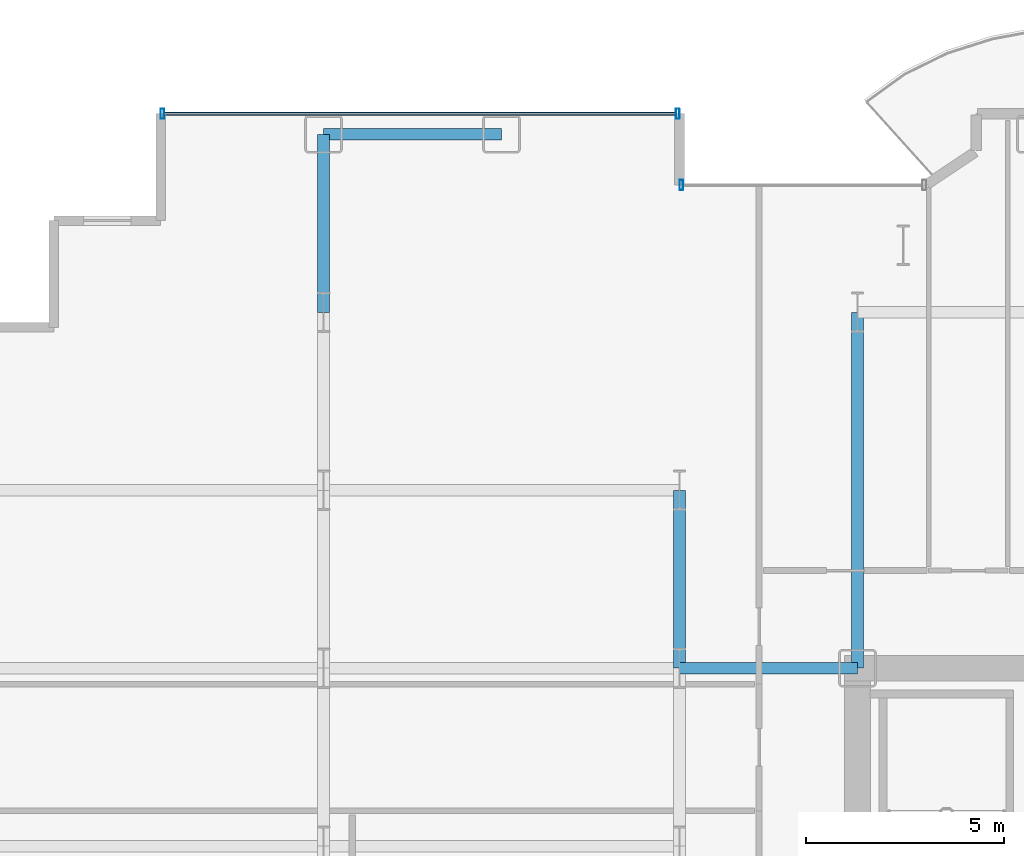
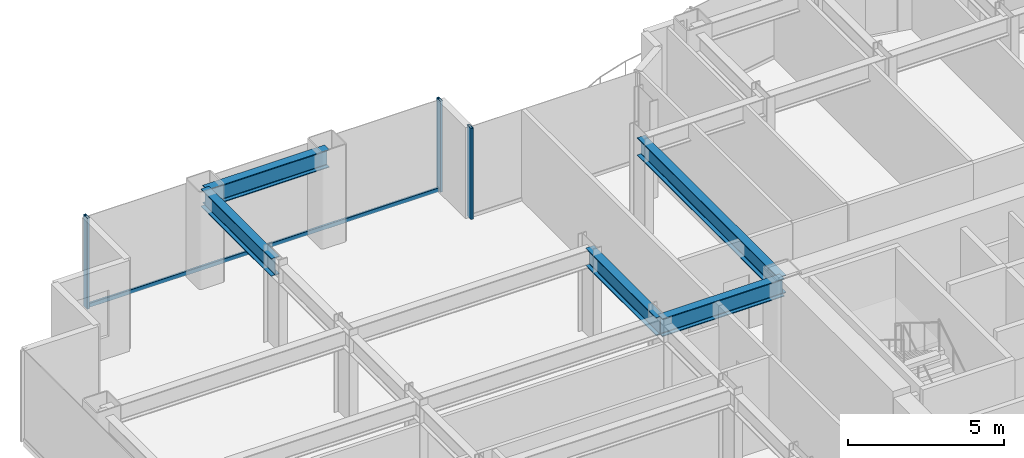
# One storey, part 12 of 29: 5 beams, 4 members, 2 elements without a shape of their own.
"""IFC4 building model written with IfcOpenShell, lengths in metres."""

from ifc_helpers import new_model, si_unit, direction, frame, origin, origin_2d, place, context, subcontext, project, spatial, hollow_rectangle, i_section, extrude, source, transform, mapped, material, layer, layer_set, material_profile, profile_set, type_object, element, aggregate, save


model = new_model("IFC4")

# Units and contexts
model_context = context("Model", 3, precision=1e-05, world=origin(), true_north=direction((0.0, 1.0)))
body_context = subcontext(model_context, "Body", "Model", "MODEL_VIEW")
ifc_project = project(units=[si_unit("LENGTHUNIT", "METRE"), si_unit("AREAUNIT", "SQUARE_METRE"), si_unit("VOLUMEUNIT", "CUBIC_METRE"), si_unit("PLANEANGLEUNIT", "RADIAN"), si_unit("MASSUNIT", "GRAM", prefix="KILO")], contexts=[model_context])

# Site, building, storey
site_placement = place(None, origin())
site = spatial("IfcSite", under=ifc_project, at=site_placement, CompositionType="ELEMENT")
building_placement = place(site_placement, origin())
building = spatial("IfcBuilding", under=site, at=building_placement, Name="Nefas-Gora Pilgrimage Tower", CompositionType="ELEMENT")
storey_placement = place(building_placement, frame((0.0, 0.0, 67.199951171875)))
storey = spatial("IfcBuildingStorey", under=building, at=storey_placement, Name="L15", CompositionType="ELEMENT", Elevation=67.199951171875)

# Beams
ifc_material_1 = material(Name="Steel S355", Category="steel")
ifc_material_profile_1 = material_profile(ifc_material_1, i_section(OverallWidth=0.300048828125, OverallDepth=0.699951171875, WebThickness=0.01708984375, FlangeThickness=0.031982421875, FilletRadius=0.027099609375, at=origin_2d()), Name="HEB 700")
ifc_profile_set_1 = profile_set([ifc_material_profile_1], Name="Steel S355")
beam_type_1 = type_object("IfcBeamType", Name="BM-SPN-HEB600", PredefinedType="SPANDREL", material=ifc_profile_set_1)
shared_shape_1 = source(origin(), body_context, "Body", "SweptSolid", [
    extrude(i_section(OverallWidth=0.300048828125, OverallDepth=0.699951171875, WebThickness=0.01708984375, FlangeThickness=0.031982421875, FilletRadius=0.027099609375, at=origin_2d()), origin(), (0.0, 0.0, 1.0), 4.5),
])
beam_1_placement = place(storey_placement, frame((-24.75, 22.5, 3.199951171875), z_axis=(1.0, 0.0, 0.0), x_axis=(0.0, 1.0, 0.0)))
element("IfcBeam", 1, at=beam_1_placement, inside=storey, type_object=beam_type_1, Name="L15 SP-01 beam", PredefinedType="SPANDREL", context=body_context, shape_type="MappedRepresentation", body=[
    mapped(shared_shape_1, transform((0.0, 0.0, 0.0), x_axis=(1.0, 0.0, 0.0), y_axis=(0.0, 1.0, 0.0), z_axis=(0.0, 0.0, 1.0), scale=1.0)),
])
ifc_material_profile_2 = material_profile(ifc_material_1, i_section(OverallWidth=0.300048828125, OverallDepth=0.699951171875, WebThickness=0.01708984375, FlangeThickness=0.031982421875, FilletRadius=0.027099609375, at=origin_2d()), Name="HEB 700")
ifc_profile_set_2 = profile_set([ifc_material_profile_2], Name="Steel S355")
beam_type_2 = type_object("IfcBeamType", Name="BM-GIR-HEB700", PredefinedType="BEAM", material=ifc_profile_set_2)
shared_shape_2 = source(origin(), body_context, "Body", "SweptSolid", [
    extrude(i_section(OverallWidth=0.300048828125, OverallDepth=0.699951171875, WebThickness=0.01708984375, FlangeThickness=0.031982421875, FilletRadius=0.027099609375, at=origin_2d()), origin(), (0.0, 0.0, 1.0), 9.0),
])
beam_2_placement = place(storey_placement, frame((-11.25, 9.0, 3.199951171875), z_axis=(0.0, 1.0, 0.0), x_axis=(-1.0, 0.0, 0.0)))
element("IfcBeam", 2, at=beam_2_placement, inside=storey, type_object=beam_type_2, Name="L15 G-02 beam", PredefinedType="BEAM", context=body_context, shape_type="MappedRepresentation", body=[
    mapped(shared_shape_2, transform((0.0, 0.0, 0.0), x_axis=(1.0, 0.0, 0.0), y_axis=(0.0, 1.0, 0.0), z_axis=(0.0, 0.0, 1.0), scale=1.0)),
])
shared_shape_3 = source(origin(), body_context, "Body", "SweptSolid", [
    extrude(i_section(OverallWidth=0.300048828125, OverallDepth=0.699951171875, WebThickness=0.01708984375, FlangeThickness=0.031982421875, FilletRadius=0.027099609375, at=origin_2d()), origin(), (0.0, 0.0, 1.0), 4.5),
])
for number, where, z_axis, x_axis, name in (
    (3, (-24.75, 18.0, 3.199951171875), (0.0, 1.0, 0.0), (-1.0, 0.0, 0.0), "L15 G-02 beam"),
    (4, (-15.75, 9.0, 3.199951171875), (0.0, 1.0, 0.0), (-1.0, 0.0, 0.0), "L15 G-02 beam"),
    (5, (-15.75, 9.0, 3.199951171875), (1.0, 0.0, 0.0), (0.0, 1.0, 0.0), "L15 G-02 beam"),
):
    element("IfcBeam", number, at=place(storey_placement, frame(where, z_axis=z_axis, x_axis=x_axis)), inside=storey, type_object=beam_type_2, Name=name, PredefinedType="BEAM", context=body_context, shape_type="MappedRepresentation", body=[
        mapped(shared_shape_3, transform((0.0, 0.0, 0.0), x_axis=(1.0, 0.0, 0.0), y_axis=(0.0, 1.0, 0.0), z_axis=(0.0, 0.0, 1.0), scale=1.0)),
    ])

# Curtain wall, member
ifc_material_2 = material(Name="Dark ceramic-fritted solar-control aluminium-glass curtain wall", Category="aluminium")
ifc_layer_1 = layer(ifc_material_2, 0.219970703125)
ifc_layer_set_1 = layer_set([ifc_layer_1], Name="Dark ceramic-fritted solar-control aluminium-glass curtain wall")
curtain_wall_type_1 = type_object("IfcCurtainWallType", Name="CW-SYS-5", PredefinedType="NOTDEFINED", material=ifc_layer_set_1)
curtain_wall_1_placement = place(storey_placement, origin())
curtain_wall_1 = element("IfcCurtainWall", 6, at=curtain_wall_1_placement, inside=storey, type_object=curtain_wall_type_1, Name="L15 Unitised Curtain Wall CW5", PredefinedType="NOTDEFINED")
ifc_material_3 = material(Name="Anodised architectural aluminium", Category="aluminium")
ifc_material_profile_3 = material_profile(ifc_material_3, hollow_rectangle(XDim=0.090087890625, YDim=0.260009765625, WallThickness=0.006103515625, InnerFilletRadius=0.006103515625, OuterFilletRadius=0.011962890625, at=origin_2d()), Name="ALU MULLION 90x260")
ifc_profile_set_3 = profile_set([ifc_material_profile_3], Name="Anodised architectural aluminium")
member_type_1 = type_object("IfcMemberType", Name="CWM-MUL-5", PredefinedType="MULLION", material=ifc_profile_set_3)
shared_shape_4 = source(origin(), body_context, "Body", "SweptSolid", [
    extrude(hollow_rectangle(XDim=0.090087890625, YDim=0.260009765625, WallThickness=0.006103515625, InnerFilletRadius=0.006103515625, OuterFilletRadius=0.011962890625, at=origin_2d()), origin(), (0.0, 0.0, 1.0), 3.550048828125),
])
member_1_placement = place(storey_placement, frame((-15.705078125, 21.219970703125, 0.0), z_axis=(0.0, 0.0, 1.0), x_axis=(-1.0, 0.0, 0.0)))
member_1 = element("IfcMember", 7, at=member_1_placement, type_object=member_type_1, Name="CW5 Mullion 2", PredefinedType="MULLION", context=body_context, shape_type="MappedRepresentation", body=[
    mapped(shared_shape_4, transform((0.0, 0.0, 0.0), x_axis=(1.0, 0.0, 0.0), y_axis=(0.0, 1.0, 0.0), z_axis=(0.0, 0.0, 1.0), scale=1.0)),
])
aggregate(curtain_wall_1, [member_1])

# Curtain wall, members
ifc_layer_2 = layer(ifc_material_2, 0.219970703125)
ifc_layer_set_2 = layer_set([ifc_layer_2], Name="Dark ceramic-fritted solar-control aluminium-glass curtain wall")
curtain_wall_type_2 = type_object("IfcCurtainWallType", Name="CW-SYS-2", PredefinedType="NOTDEFINED", material=ifc_layer_set_2)
curtain_wall_2_placement = place(storey_placement, origin())
curtain_wall_2 = element("IfcCurtainWall", 8, at=curtain_wall_2_placement, inside=storey, type_object=curtain_wall_type_2, Name="L15 Unitised Curtain Wall CW2", PredefinedType="NOTDEFINED")
ifc_material_profile_4 = material_profile(ifc_material_3, hollow_rectangle(XDim=0.090087890625, YDim=0.260009765625, WallThickness=0.006103515625, InnerFilletRadius=0.006103515625, OuterFilletRadius=0.011962890625, at=origin_2d()), Name="ALU MULLION 90x260")
ifc_profile_set_4 = profile_set([ifc_material_profile_4], Name="Anodised architectural aluminium")
member_type_2 = type_object("IfcMemberType", Name="CWM-MUL-2", PredefinedType="MULLION", material=ifc_profile_set_4)
shared_shape_5 = source(origin(), body_context, "Body", "SweptSolid", [
    extrude(hollow_rectangle(XDim=0.090087890625, YDim=0.260009765625, WallThickness=0.006103515625, InnerFilletRadius=0.006103515625, OuterFilletRadius=0.011962890625, at=origin_2d()), origin(), (0.0, 0.0, 1.0), 3.550048828125),
])
member_2_placement = place(storey_placement, frame((-15.794921875, 23.02001953125, 0.0), z_axis=(0.0, 0.0, 1.0), x_axis=(-1.0, 0.0, 0.0)))
member_2 = element("IfcMember", 9, at=member_2_placement, type_object=member_type_2, Name="CW2 Mullion 1", PredefinedType="MULLION", context=body_context, shape_type="MappedRepresentation", body=[
    mapped(shared_shape_5, transform((0.0, 0.0, 0.0), x_axis=(1.0, 0.0, 0.0), y_axis=(0.0, 1.0, 0.0), z_axis=(0.0, 0.0, 1.0), scale=1.0)),
])
member_3_placement = place(storey_placement, frame((-28.824951171875, 23.02001953125, 0.0), z_axis=(0.0, 0.0, 1.0), x_axis=(-1.0, 0.0, 0.0)))
member_3 = element("IfcMember", 10, at=member_3_placement, type_object=member_type_2, Name="CW2 Mullion 2", PredefinedType="MULLION", context=body_context, shape_type="MappedRepresentation", body=[
    mapped(shared_shape_5, transform((0.0, 0.0, 0.0), x_axis=(1.0, 0.0, 0.0), y_axis=(0.0, 1.0, 0.0), z_axis=(0.0, 0.0, 1.0), scale=1.0)),
])
ifc_material_profile_5 = material_profile(ifc_material_3, hollow_rectangle(XDim=0.080078125, YDim=0.159912109375, WallThickness=0.00439453125, InnerFilletRadius=0.00439453125, OuterFilletRadius=0.009033203125, at=origin_2d()), Name="ALU TRANSOM 80x160")
ifc_profile_set_5 = profile_set([ifc_material_profile_5], Name="Anodised architectural aluminium")
member_type_3 = type_object("IfcMemberType", Name="CWM-TRN-2", PredefinedType="USERDEFINED", material=ifc_profile_set_5)
shared_shape_6 = source(origin(), body_context, "Body", "SweptSolid", [
    extrude(hollow_rectangle(XDim=0.080078125, YDim=0.159912109375, WallThickness=0.00439453125, InnerFilletRadius=0.00439453125, OuterFilletRadius=0.009033203125, at=origin_2d()), origin(), (0.0, 0.0, 1.0), 12.93994140625),
])
member_4_placement = place(storey_placement, frame((-15.840087890625, 23.02001953125, 0.050048828125), z_axis=(-1.0, 0.0, 0.0), x_axis=(0.0, -1.0, 0.0)))
member_4 = element("IfcMember", 11, at=member_4_placement, type_object=member_type_3, Name="CW2 Spandrel Transom", ObjectType="TRANSOM", PredefinedType="USERDEFINED", context=body_context, shape_type="MappedRepresentation", body=[
    mapped(shared_shape_6, transform((0.0, 0.0, 0.0), x_axis=(1.0, 0.0, 0.0), y_axis=(0.0, 1.0, 0.0), z_axis=(0.0, 0.0, 1.0), scale=1.0)),
])
aggregate(curtain_wall_2, [member_2, member_3, member_4])

save(model, "model.ifc")
